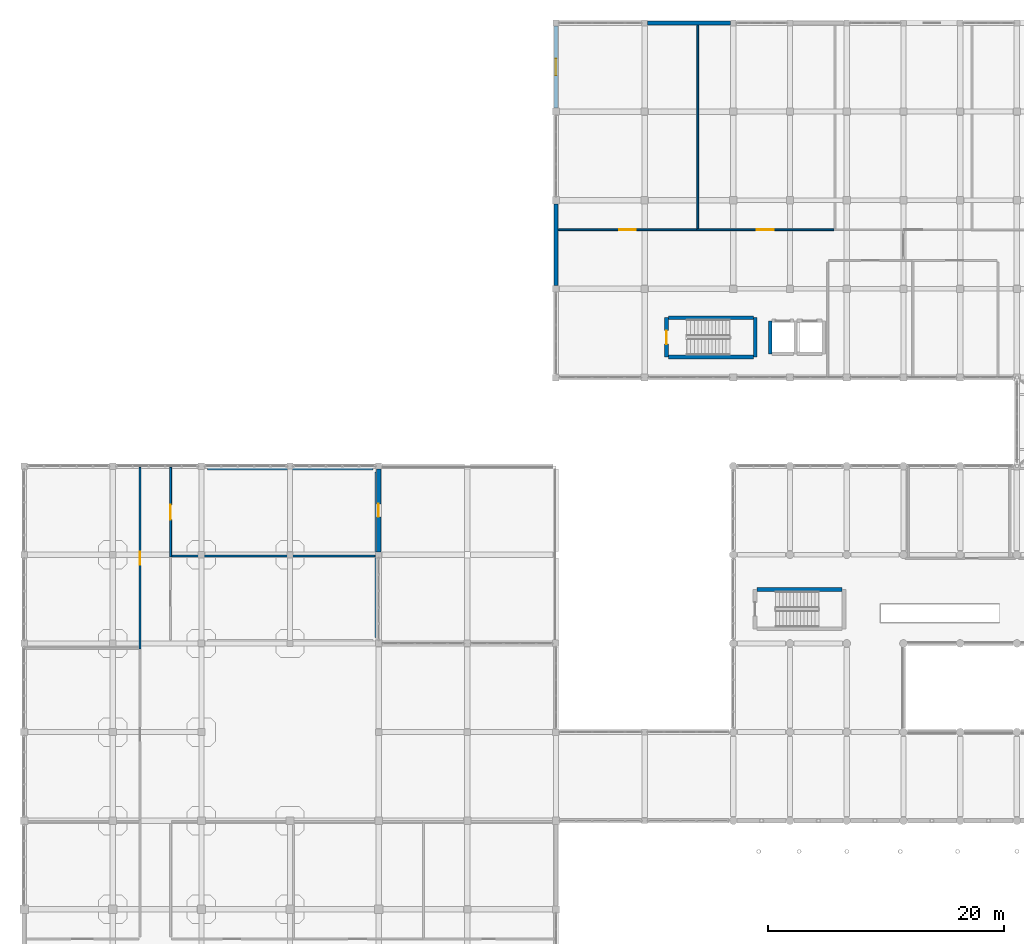
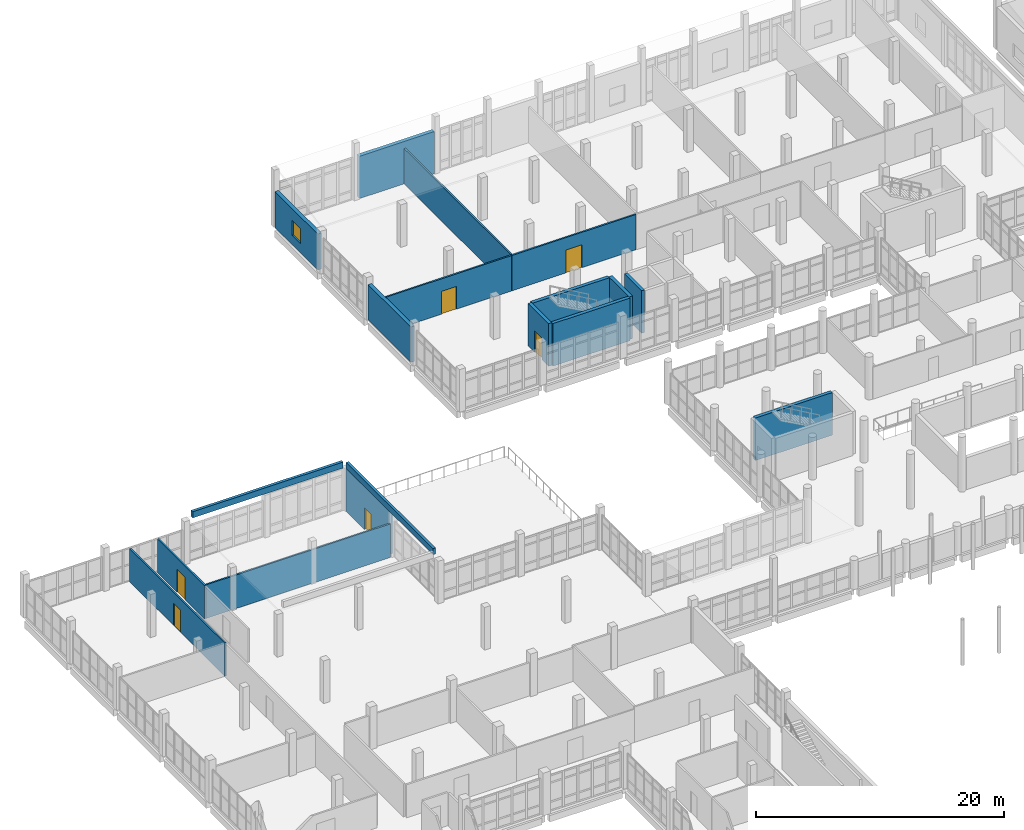
# One storey, part 144 of 164: 18 walls, 6 doors, 1 window, 7 openings.
"""IFC4 building model written with IfcOpenShell, lengths in metres."""

from ifc_helpers import new_model, si_unit, direction, frame, frame_2d, origin, place, context, subcontext, project, spatial, rectangle, extrude, material, layer, layer_set, type_object, element, fill, save


model = new_model("IFC4")

# Units and contexts
model_context = context("Model", 3, precision=1e-05, world=origin(), true_north=direction((0.0, 1.0)))
body_context = subcontext(model_context, "Body", "Model", "MODEL_VIEW")
ifc_project = project(units=[si_unit("LENGTHUNIT", "METRE"), si_unit("AREAUNIT", "SQUARE_METRE"), si_unit("VOLUMEUNIT", "CUBIC_METRE"), si_unit("PLANEANGLEUNIT", "RADIAN"), si_unit("MASSUNIT", "GRAM", prefix="KILO")], contexts=[model_context])

# Site, building, storey
site_placement = place(None, origin())
site = spatial("IfcSite", under=ifc_project, at=site_placement, CompositionType="ELEMENT")
building_placement = place(site_placement, origin())
building = spatial("IfcBuilding", under=site, at=building_placement, Name="Mawjan Specialist Oncology Clinic", CompositionType="ELEMENT")
storey_placement = place(building_placement, frame((0.0, 0.0, 5.0)))
storey = spatial("IfcBuildingStorey", under=building, at=storey_placement, Name="L01", CompositionType="ELEMENT", Elevation=5.0)

# Wall
ifc_material_1 = material(Name="Precast concrete C40/50", Category="concrete")
ifc_layer_1 = layer(ifc_material_1, 0.35009765625, Name="Precast concrete C40/50", Category="concrete")
ifc_layer_set_1 = layer_set([ifc_layer_1], Name="Precast concrete C40/50")
wall_type_1 = type_object("IfcWallType", Name="EW-350", PredefinedType="SOLIDWALL", material=ifc_layer_set_1)
wall_1_placement = place(storey_placement, frame((45.0, 91.074951171875, 0.0), z_axis=(0.0, 0.0, 1.0), x_axis=(0.0, 1.0, 0.0)))
element("IfcWall", 1, at=wall_1_placement, inside=storey, type_object=wall_type_1, Name="L01 Coral-Limestone Exterior Wall EW-L01-082", PredefinedType="SOLIDWALL", context=body_context, shape_type="SweptSolid", body=[
    extrude(rectangle(XDim=6.925048828125, YDim=0.35009765625, at=frame_2d((3.46240234375, 0.0))), origin(), (0.0, 0.0, 1.0), 3.485107421875),
])

# Wall, opening, window
wall_2_placement = place(storey_placement, frame((45.0, 106.10009765625, 0.0), z_axis=(0.0, 0.0, 1.0), x_axis=(0.0, 1.0, 0.0)))
wall_2 = element("IfcWall", 2, at=wall_2_placement, inside=storey, type_object=wall_type_1, Name="L01 Coral-Limestone Exterior Wall EW-L01-083", PredefinedType="SOLIDWALL", context=body_context, shape_type="SweptSolid", body=[
    extrude(rectangle(XDim=6.949951171875, YDim=0.35009765625, at=frame_2d((3.47509765625, 0.0))), origin(), (0.0, 0.0, 1.0), 3.534912109375),
])
opening_1_placement = place(wall_2_placement, frame((2.77490234375, 0.0, 0.89990234375)))
opening_1 = element("IfcOpeningElement", 3, at=opening_1_placement, cuts=wall_2, Name="Opening WN-14", PredefinedType="OPENING", context=body_context, shape_type="SweptSolid", body=[
    extrude(rectangle(XDim=1.39990234375, YDim=1.5, at=frame_2d((0.699951171875, 0.75))), frame((0.0, 0.18701171875, 0.0), z_axis=(0.0, -1.0, 0.0), x_axis=(1.0, 0.0, 0.0)), (0.0, 0.0, 1.0), 0.3740234375),
])
ifc_material_2 = material(Name="Thermally broken low-E clinical aluminium window", Category="aluminium")
window_type = type_object("IfcWindowType", Name="WN-14", PartitioningType="SINGLE_PANEL", PredefinedType="WINDOW", material=ifc_material_2)
window_placement = place(opening_1_placement, origin())
window = element("IfcWindow", 4, at=window_placement, inside=storey, type_object=window_type, Name="L01 Clinical Low-E Window 014", OverallHeight=1.5, OverallWidth=1.39990234375, PartitioningType="SINGLE_PANEL", PredefinedType="WINDOW", context=body_context, shape_type="SweptSolid", body=[
    extrude(rectangle(XDim=1.39990234375, YDim=1.5, at=frame_2d((0.699951171875, 0.75))), frame((0.0, 0.030029296875, 0.0), z_axis=(0.0, -1.0, 0.0), x_axis=(1.0, 0.0, 0.0)), (0.0, 0.0, 1.0), 0.06005859375),
])
fill(opening_1, window)

# Wall
wall_3_placement = place(storey_placement, frame((52.75, 113.300048828125, 0.0), z_axis=(0.0, 0.0, 1.0), x_axis=(1.0, 0.0, 0.0)))
element("IfcWall", 5, at=wall_3_placement, inside=storey, type_object=wall_type_1, Name="L01 Coral-Limestone Exterior Wall EW-L01-084", PredefinedType="SOLIDWALL", context=body_context, shape_type="SweptSolid", body=[
    extrude(rectangle(XDim=7.0, YDim=0.35009765625, at=frame_2d((3.5, 0.0))), origin(), (0.0, 0.0, 1.0), 4.169921875),
])

# Wall, opening, door
wall_4_placement = place(storey_placement, frame((30.0, 75.550048828125, 0.0), z_axis=(0.0, 0.0, 1.0), x_axis=(0.0, -1.0, 0.0)))
wall_4 = element("IfcWall", 6, at=wall_4_placement, inside=storey, type_object=wall_type_1, Name="L01 Coral-Limestone Exterior Wall EW-L01-119", PredefinedType="SOLIDWALL", context=body_context, shape_type="SweptSolid", body=[
    extrude(rectangle(XDim=7.0, YDim=0.35009765625, at=frame_2d((3.5, 0.0))), origin(), (0.0, 0.0, 1.0), 4.199951171875),
])
opening_2_placement = place(wall_4_placement, frame((2.949951171875, 0.0, 0.0)))
opening_2 = element("IfcOpeningElement", 7, at=opening_2_placement, cuts=wall_4, Name="Opening DT-110", PredefinedType="OPENING", context=body_context, shape_type="SweptSolid", body=[
    extrude(rectangle(XDim=1.10009765625, YDim=2.14990234375, at=frame_2d((0.550048828125, 1.074951171875))), frame((0.0, 0.18701171875, 0.0), z_axis=(0.0, -1.0, 0.0), x_axis=(1.0, 0.0, 0.0)), (0.0, 0.0, 1.0), 0.3740234375),
])
ifc_material_3 = material(Name="Insulated marine-grade aluminium entrance assembly", Category="aluminium")
door_type_1 = type_object("IfcDoorType", Name="DT-110", OperationType="NOTDEFINED", PredefinedType="DOOR", material=ifc_material_3)
door_1_placement = place(opening_2_placement, origin())
door_1 = element("IfcDoor", 8, at=door_1_placement, inside=storey, type_object=door_type_1, Name="L01 Healing Terrace Access Door 1", OperationType="SINGLE_SWING_RIGHT", OverallHeight=2.14990234375, OverallWidth=1.10009765625, PredefinedType="DOOR", context=body_context, shape_type="SweptSolid", body=[
    extrude(rectangle(XDim=1.10009765625, YDim=2.14990234375, at=frame_2d((0.550048828125, 1.074951171875))), frame((0.0, 0.02490234375, 0.0), z_axis=(0.0, -1.0, 0.0), x_axis=(1.0, 0.0, 0.0)), (0.0, 0.0, 1.0), 0.050048828125),
])
fill(opening_2, door_1)

# Walls
ifc_material_4 = material(Name="Precast concrete C40/50", Category="concrete")
ifc_layer_2 = layer(ifc_material_4, 0.239990234375, Name="Precast concrete C40/50", Category="concrete")
ifc_layer_set_2 = layer_set([ifc_layer_2], Name="Precast concrete C40/50")
wall_type_2 = type_object("IfcWallType", Name="PAR-240", PredefinedType="PARAPET", material=ifc_layer_set_2)
wall_5_placement = place(storey_placement, frame((29.820068359375, 75.320068359375, 4.39990234375), z_axis=(0.0, 0.0, 1.0), x_axis=(0.0, -1.0, 0.0)))
element("IfcWall", 9, at=wall_5_placement, inside=storey, type_object=wall_type_2, Name="L01 Roof Parapet Upstand 12", PredefinedType="PARAPET", context=body_context, shape_type="SweptSolid", body=[
    extrude(rectangle(XDim=14.02001953125, YDim=0.239990234375, at=frame_2d((7.010009765625, 0.0))), origin(), (0.0, 0.0, 1.0), 0.60009765625),
])
ifc_material_5 = material(Name="Precast concrete C40/50", Category="concrete")
ifc_layer_3 = layer(ifc_material_5, 0.260009765625, Name="Precast concrete C40/50", Category="concrete")
ifc_layer_set_3 = layer_set([ifc_layer_3], Name="Precast concrete C40/50")
wall_type_3 = type_object("IfcWallType", Name="PAR-260", PredefinedType="PARAPET", material=ifc_layer_set_3)
wall_6_placement = place(storey_placement, frame((15.5, 75.6201171875, 4.39990234375), z_axis=(0.0, 0.0, 1.0), x_axis=(1.0, 0.0, 0.0)))
element("IfcWall", 10, at=wall_6_placement, inside=storey, type_object=wall_type_3, Name="L01 Roof Parapet Upstand 11", PredefinedType="PARAPET", context=body_context, shape_type="SweptSolid", body=[
    extrude(rectangle(XDim=14.02001953125, YDim=0.260009765625, at=frame_2d((7.010009765625, 0.0))), origin(), (0.0, 0.0, 1.0), 0.60009765625),
])
ifc_material_6 = material(Name="Concrete C45/55", Category="concrete")
ifc_layer_4 = layer(ifc_material_6, 0.280029296875, Name="Concrete C45/55", Category="concrete")
ifc_layer_set_4 = layer_set([ifc_layer_4], Name="Concrete C45/55")
wall_type_4 = type_object("IfcWallType", Name="SW-300", PredefinedType="SHEAR", material=ifc_layer_set_4)
wall_7_placement = place(storey_placement, frame((63.14111328125, 88.09326171875, 0.0), z_axis=(0.0, 0.0, 1.0), x_axis=(0.0, -1.0, 0.0)))
element("IfcWall", 11, at=wall_7_placement, inside=storey, type_object=wall_type_4, Name="L01 LF-05 Hoistway Wall 4", PredefinedType="SHEAR", context=body_context, shape_type="SweptSolid", body=[
    extrude(rectangle(XDim=2.78662109375, YDim=0.280029296875, at=frame_2d((1.393310546875, 0.0))), origin(), (0.0, 0.0, 1.0), 4.199951171875),
])
ifc_material_7 = material(Name="Concrete C45/55", Category="concrete")
ifc_layer_5 = layer(ifc_material_7, 0.320068359375, Name="Concrete C45/55", Category="concrete")
ifc_layer_set_5 = layer_set([ifc_layer_5], Name="Concrete C45/55")
wall_type_5 = type_object("IfcWallType", Name="SW-350", PredefinedType="SHEAR", material=ifc_layer_set_5)
wall_8_placement = place(storey_placement, frame((54.5048828125, 85.0400390625, 0.0), z_axis=(0.0, 0.0, 1.0), x_axis=(1.0, 0.0, 0.0)))
element("IfcWall", 12, at=wall_8_placement, inside=storey, type_object=wall_type_5, Name="L01 Core K3 Stair Shear Wall 1", PredefinedType="SHEAR", context=body_context, shape_type="SweptSolid", body=[
    extrude(rectangle(XDim=7.190185546875, YDim=0.320068359375, at=frame_2d((3.59521484375, 0.0))), origin(), (0.0, 0.0, 1.0), 4.199951171875),
])
wall_9_placement = place(storey_placement, frame((61.860107421875, 85.0400390625, 0.0), z_axis=(0.0, 0.0, 1.0), x_axis=(0.0, 1.0, 0.0)))
element("IfcWall", 13, at=wall_9_placement, inside=storey, type_object=wall_type_5, Name="L01 Core K3 Stair Shear Wall 2", PredefinedType="SHEAR", context=body_context, shape_type="SweptSolid", body=[
    extrude(rectangle(XDim=3.320068359375, YDim=0.320068359375, at=frame_2d((1.66015625, 0.0))), origin(), (0.0, 0.0, 1.0), 4.199951171875),
])
wall_10_placement = place(storey_placement, frame((61.695068359375, 88.360107421875, 0.0), z_axis=(0.0, 0.0, 1.0), x_axis=(-1.0, 0.0, 0.0)))
element("IfcWall", 14, at=wall_10_placement, inside=storey, type_object=wall_type_5, Name="L01 Core K3 Stair Shear Wall 3", PredefinedType="SHEAR", context=body_context, shape_type="SweptSolid", body=[
    extrude(rectangle(XDim=7.190185546875, YDim=0.320068359375, at=frame_2d((3.59521484375, 0.0))), origin(), (0.0, 0.0, 1.0), 4.199951171875),
])

# Wall, opening, door
wall_11_placement = place(storey_placement, frame((54.340087890625, 88.360107421875, 0.0), z_axis=(0.0, 0.0, 1.0), x_axis=(0.0, -1.0, 0.0)))
wall_11 = element("IfcWall", 15, at=wall_11_placement, inside=storey, type_object=wall_type_5, Name="L01 Core K3 Stair Shear Wall 4", PredefinedType="SHEAR", context=body_context, shape_type="SweptSolid", body=[
    extrude(rectangle(XDim=3.320068359375, YDim=0.320068359375, at=frame_2d((1.66015625, 0.0))), origin(), (0.0, 0.0, 1.0), 4.199951171875),
])
opening_3_placement = place(wall_11_placement, frame((1.0849609375, 0.0, 0.0)))
opening_3 = element("IfcOpeningElement", 16, at=opening_3_placement, cuts=wall_11, Name="Opening FD-90", PredefinedType="OPENING", context=body_context, shape_type="SweptSolid", body=[
    extrude(rectangle(XDim=1.14990234375, YDim=2.14990234375, at=frame_2d((0.574951171875, 1.074951171875))), frame((0.0, 0.172119140625, 0.0), z_axis=(0.0, -1.0, 0.0), x_axis=(1.0, 0.0, 0.0)), (0.0, 0.0, 1.0), 0.343994140625),
])
ifc_material_8 = material(Name="Stainless-steel fire-rated hospital door", Category="steel")
door_type_2 = type_object("IfcDoorType", Name="FD-90", OperationType="NOTDEFINED", PredefinedType="DOOR", material=ifc_material_8)
door_2_placement = place(opening_3_placement, origin())
door_2 = element("IfcDoor", 17, at=door_2_placement, inside=storey, type_object=door_type_2, Name="L01 ST-03 Fire Exit Stair Door", OperationType="SINGLE_SWING_RIGHT", OverallHeight=2.14990234375, OverallWidth=1.14990234375, PredefinedType="DOOR", context=body_context, shape_type="SweptSolid", body=[
    extrude(rectangle(XDim=1.14990234375, YDim=2.14990234375, at=frame_2d((0.574951171875, 1.074951171875))), frame((0.0, 0.02490234375, 0.0), z_axis=(0.0, -1.0, 0.0), x_axis=(1.0, 0.0, 0.0)), (0.0, 0.0, 1.0), 0.050048828125),
])
fill(opening_3, door_2)

# Wall
wall_12_placement = place(storey_placement, frame((69.195068359375, 65.360107421875, 0.0), z_axis=(0.0, 0.0, 1.0), x_axis=(-1.0, 0.0, 0.0)))
element("IfcWall", 18, at=wall_12_placement, inside=storey, type_object=wall_type_5, Name="L01 Core K7 Stair Shear Wall 3", PredefinedType="SHEAR", context=body_context, shape_type="SweptSolid", body=[
    extrude(rectangle(XDim=7.190185546875, YDim=0.320068359375, at=frame_2d((3.59521484375, 0.0))), origin(), (0.0, 0.0, 1.0), 4.199951171875),
])

# Wall, opening, door
ifc_material_9 = material(Name="Acoustic gypsum clinical partition", Category="gypsum")
ifc_layer_6 = layer(ifc_material_9, 0.14990234375, Name="Acoustic gypsum clinical partition", Category="gypsum")
ifc_layer_set_6 = layer_set([ifc_layer_6], Name="Acoustic gypsum clinical partition")
wall_type_6 = type_object("IfcWallType", Name="WP-150", PredefinedType="PARTITIONING", material=ifc_layer_set_6)
wall_13_placement = place(storey_placement, frame((9.800048828125, 60.326904296875, 0.0), z_axis=(0.0, 0.0, 1.0), x_axis=(0.0, 1.0, 0.0)))
wall_13 = element("IfcWall", 19, at=wall_13_placement, inside=storey, type_object=wall_type_6, Name="L01 Interior Partition W-INT-L01-112-V", PredefinedType="PARTITIONING", context=body_context, shape_type="SweptSolid", body=[
    extrude(rectangle(XDim=15.37109375, YDim=0.14990234375, at=frame_2d((7.685546875, 0.0))), origin(), (0.0, 0.0, 1.0), 3.264892578125),
])
opening_4_placement = place(wall_13_placement, frame((7.12548828125, 0.0, 0.0)))
opening_4 = element("IfcOpeningElement", 20, at=opening_4_placement, cuts=wall_13, Name="Opening DI-112", PredefinedType="OPENING", context=body_context, shape_type="SweptSolid", body=[
    extrude(rectangle(XDim=1.1201171875, YDim=2.199951171875, at=frame_2d((0.56005859375, 1.10009765625))), frame((0.0, 0.0869140625, 0.0), z_axis=(0.0, -1.0, 0.0), x_axis=(1.0, 0.0, 0.0)), (0.0, 0.0, 1.0), 0.173828125),
])
ifc_material_10 = material(Name="Acoustic laminate hospital door leaf", Category="wood")
door_type_3 = type_object("IfcDoorType", Name="DI-112", OperationType="NOTDEFINED", PredefinedType="DOOR", material=ifc_material_10)
door_3_placement = place(opening_4_placement, origin())
door_3 = element("IfcDoor", 21, at=door_3_placement, inside=storey, type_object=door_type_3, Name="L01 Respiratory Therapy Clinic Door", OperationType="SINGLE_SWING_RIGHT", OverallHeight=2.199951171875, OverallWidth=1.1201171875, PredefinedType="DOOR", context=body_context, shape_type="SweptSolid", body=[
    extrude(rectangle(XDim=1.1201171875, YDim=2.199951171875, at=frame_2d((0.56005859375, 1.10009765625))), frame((0.0, 0.02490234375, 0.0), z_axis=(0.0, -1.0, 0.0), x_axis=(1.0, 0.0, 0.0)), (0.0, 0.0, 1.0), 0.050048828125),
])
fill(opening_4, door_3)

wall_14_placement = place(storey_placement, frame((45.18701171875, 95.800048828125, 0.0), z_axis=(0.0, 0.0, 1.0), x_axis=(1.0, 0.0, 0.0)))
wall_14 = element("IfcWall", 22, at=wall_14_placement, inside=storey, type_object=wall_type_6, Name="L01 Interior Partition W-INT-L01-P11-C", PredefinedType="PARTITIONING", context=body_context, shape_type="SweptSolid", body=[
    extrude(rectangle(XDim=11.72802734375, YDim=0.14990234375, at=frame_2d((5.864013671875, 0.0))), origin(), (0.0, 0.0, 1.0), 3.485107421875),
])
opening_5_placement = place(wall_14_placement, frame((5.1640625, 0.0, 0.0)))
opening_5 = element("IfcOpeningElement", 23, at=opening_5_placement, cuts=wall_14, Name="Opening DC-140", PredefinedType="OPENING", context=body_context, shape_type="SweptSolid", body=[
    extrude(rectangle(XDim=1.39990234375, YDim=2.25, at=frame_2d((0.699951171875, 1.125))), frame((0.0, 0.0869140625, 0.0), z_axis=(0.0, -1.0, 0.0), x_axis=(1.0, 0.0, 0.0)), (0.0, 0.0, 1.0), 0.173828125),
])
ifc_material_11 = material(Name="Acoustic laminate hospital door leaf", Category="wood")
door_type_4 = type_object("IfcDoorType", Name="DC-140", OperationType="NOTDEFINED", PredefinedType="DOOR", material=ifc_material_11)
door_4_placement = place(opening_5_placement, origin())
door_4 = element("IfcDoor", 24, at=door_4_placement, inside=storey, type_object=door_type_4, Name="L01 Day-Procedure Operating Theatre A Door", OperationType="SINGLE_SWING_LEFT", OverallHeight=2.25, OverallWidth=1.39990234375, PredefinedType="DOOR", context=body_context, shape_type="SweptSolid", body=[
    extrude(rectangle(XDim=1.39990234375, YDim=2.25, at=frame_2d((0.699951171875, 1.125))), frame((0.0, 0.02490234375, 0.0), z_axis=(0.0, -1.0, 0.0), x_axis=(1.0, 0.0, 0.0)), (0.0, 0.0, 1.0), 0.050048828125),
])
fill(opening_5, door_4)

wall_15_placement = place(storey_placement, frame((56.927001953125, 95.800048828125, 0.0), z_axis=(0.0, 0.0, 1.0), x_axis=(1.0, 0.0, 0.0)))
wall_15 = element("IfcWall", 25, at=wall_15_placement, inside=storey, type_object=wall_type_6, Name="L01 Interior Partition W-INT-L01-P12-C", PredefinedType="PARTITIONING", context=body_context, shape_type="SweptSolid", body=[
    extrude(rectangle(XDim=11.587890625, YDim=0.14990234375, at=frame_2d((5.7939453125, 0.0))), origin(), (0.0, 0.0, 1.0), 3.485107421875),
])
opening_6_placement = place(wall_15_placement, frame((5.069091796875, 0.0, 0.0)))
opening_6 = element("IfcOpeningElement", 26, at=opening_6_placement, cuts=wall_15, Name="Opening DC-145", PredefinedType="OPENING", context=body_context, shape_type="SweptSolid", body=[
    extrude(rectangle(XDim=1.449951171875, YDim=2.260009765625, at=frame_2d((0.72509765625, 1.1298828125))), frame((0.0, 0.0869140625, 0.0), z_axis=(0.0, -1.0, 0.0), x_axis=(1.0, 0.0, 0.0)), (0.0, 0.0, 1.0), 0.173828125),
])
ifc_material_12 = material(Name="Acoustic laminate hospital door leaf", Category="wood")
door_type_5 = type_object("IfcDoorType", Name="DC-145", OperationType="NOTDEFINED", PredefinedType="DOOR", material=ifc_material_12)
door_5_placement = place(opening_6_placement, origin())
door_5 = element("IfcDoor", 27, at=door_5_placement, inside=storey, type_object=door_type_5, Name="L01 Scrub and Sterile Prep Room Door", OperationType="SINGLE_SWING_RIGHT", OverallHeight=2.260009765625, OverallWidth=1.449951171875, PredefinedType="DOOR", context=body_context, shape_type="SweptSolid", body=[
    extrude(rectangle(XDim=1.449951171875, YDim=2.260009765625, at=frame_2d((0.72509765625, 1.1298828125))), frame((0.0, 0.02490234375, 0.0), z_axis=(0.0, -1.0, 0.0), x_axis=(1.0, 0.0, 0.0)), (0.0, 0.0, 1.0), 0.050048828125),
])
fill(opening_6, door_5)

# Wall
wall_16_placement = place(storey_placement, frame((12.491943359375, 68.199951171875, 0.0), z_axis=(0.0, 0.0, 1.0), x_axis=(1.0, 0.0, 0.0)))
element("IfcWall", 28, at=wall_16_placement, inside=storey, type_object=wall_type_6, Name="L01 Interior Partition W-INT-L01-113-H", PredefinedType="PARTITIONING", context=body_context, shape_type="SweptSolid", body=[
    extrude(rectangle(XDim=17.196044921875, YDim=0.14990234375, at=frame_2d((8.59814453125, 0.0))), origin(), (0.0, 0.0, 1.0), 3.31494140625),
])

# Wall, opening, door
ifc_material_13 = material(Name="Acoustic clinical twin-stud partition", Category="gypsum")
ifc_layer_7 = layer(ifc_material_13, 0.159912109375, Name="Acoustic clinical twin-stud partition", Category="gypsum")
ifc_layer_set_7 = layer_set([ifc_layer_7], Name="Acoustic clinical twin-stud partition")
wall_type_7 = type_object("IfcWallType", Name="WP-160", PredefinedType="PARTITIONING", material=ifc_layer_set_7)
wall_17_placement = place(storey_placement, frame((12.39990234375, 68.126953125, 0.0), z_axis=(0.0, 0.0, 1.0), x_axis=(0.0, 1.0, 0.0)))
wall_17 = element("IfcWall", 29, at=wall_17_placement, inside=storey, type_object=wall_type_7, Name="L01 Interior Partition W-INT-L01-114-V", PredefinedType="PARTITIONING", context=body_context, shape_type="SweptSolid", body=[
    extrude(rectangle(XDim=7.571044921875, YDim=0.159912109375, at=frame_2d((3.78564453125, 0.0))), origin(), (0.0, 0.0, 1.0), 3.31494140625),
])
opening_7_placement = place(wall_17_placement, frame((3.1455078125, 0.0, 0.0)))
opening_7 = element("IfcOpeningElement", 30, at=opening_7_placement, cuts=wall_17, Name="Opening DC-128", PredefinedType="OPENING", context=body_context, shape_type="SweptSolid", body=[
    extrude(rectangle(XDim=1.280029296875, YDim=2.219970703125, at=frame_2d((0.64013671875, 1.10986328125))), frame((0.0, 0.092041015625, 0.0), z_axis=(0.0, -1.0, 0.0), x_axis=(1.0, 0.0, 0.0)), (0.0, 0.0, 1.0), 0.183837890625),
])
ifc_material_14 = material(Name="Acoustic laminate hospital door leaf", Category="wood")
door_type_6 = type_object("IfcDoorType", Name="DC-128", OperationType="NOTDEFINED", PredefinedType="DOOR", material=ifc_material_14)
door_6_placement = place(opening_7_placement, origin())
door_6 = element("IfcDoor", 31, at=door_6_placement, inside=storey, type_object=door_type_6, Name="L01 Outpatient Observation Suite Door", OperationType="SINGLE_SWING_RIGHT", OverallHeight=2.219970703125, OverallWidth=1.280029296875, PredefinedType="DOOR", context=body_context, shape_type="SweptSolid", body=[
    extrude(rectangle(XDim=1.280029296875, YDim=2.219970703125, at=frame_2d((0.64013671875, 1.10986328125))), frame((0.0, 0.02490234375, 0.0), z_axis=(0.0, -1.0, 0.0), x_axis=(1.0, 0.0, 0.0)), (0.0, 0.0, 1.0), 0.050048828125),
])
fill(opening_7, door_6)

# Wall
wall_18_placement = place(storey_placement, frame((57.0, 95.886962890625, 0.0), z_axis=(0.0, 0.0, 1.0), x_axis=(0.0, 1.0, 0.0)))
element("IfcWall", 32, at=wall_18_placement, inside=storey, type_object=wall_type_7, Name="L01 Interior Partition W-INT-L01-P11-D", PredefinedType="PARTITIONING", context=body_context, shape_type="SweptSolid", body=[
    extrude(rectangle(XDim=17.22607421875, YDim=0.159912109375, at=frame_2d((8.613037109375, 0.0))), origin(), (0.0, 0.0, 1.0), 3.485107421875),
])

save(model, "model.ifc")
